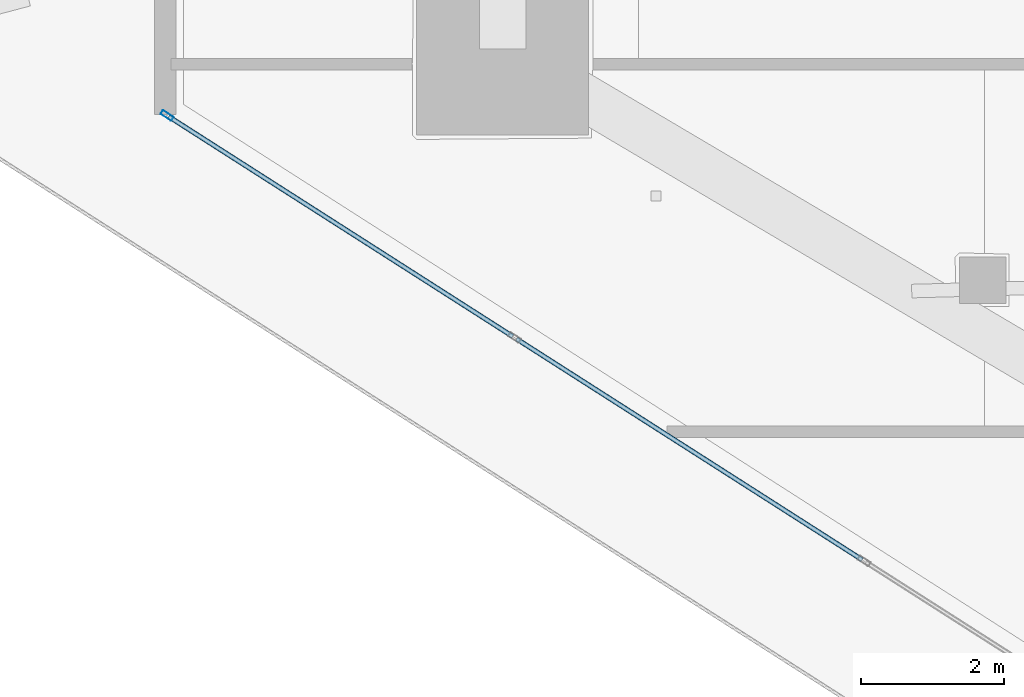
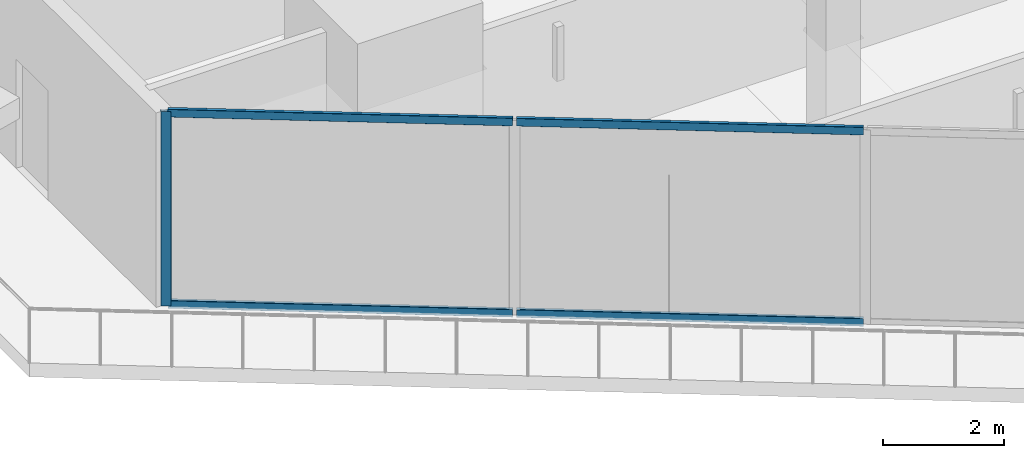
# One storey, part 4 of 44: 5 members, 1 element without a shape of its own.
"""IFC4 building model written with IfcOpenShell, lengths in metres."""

from ifc_helpers import new_model, si_unit, direction, frame, origin, origin_2d, place, context, subcontext, project, spatial, hollow_rectangle, extrude, material, layer, layer_set, material_profile, profile_set, type_object, element, aggregate, save


model = new_model("IFC4")

# Units and contexts
model_context = context("Model", 3, precision=1e-05, world=origin(), true_north=direction((0.0, 1.0)))
body_context = subcontext(model_context, "Body", "Model", "MODEL_VIEW")
ifc_project = project(units=[si_unit("LENGTHUNIT", "METRE"), si_unit("AREAUNIT", "SQUARE_METRE"), si_unit("VOLUMEUNIT", "CUBIC_METRE"), si_unit("PLANEANGLEUNIT", "RADIAN"), si_unit("MASSUNIT", "GRAM", prefix="KILO")], contexts=[model_context])

# Site, building, storey
site_placement = place(None, origin())
site = spatial("IfcSite", under=ifc_project, at=site_placement, CompositionType="ELEMENT")
building_placement = place(site_placement, origin())
building = spatial("IfcBuilding", under=site, at=building_placement, Name="Qorvath Tower", CompositionType="ELEMENT")
storey_placement = place(building_placement, frame((0.0, 0.0, 57.60009765625)))
storey = spatial("IfcBuildingStorey", under=building, at=storey_placement, Name="L12", CompositionType="ELEMENT", Elevation=57.60009765625)

# Curtain wall, members
ifc_material_1 = material(Name="Anodised aluminium and triple low-E glass", Category="aluminium")
ifc_layer = layer(ifc_material_1, 0.179931640625)
ifc_layer_set = layer_set([ifc_layer], Name="CW-SYS-2")
curtain_wall_type = type_object("IfcCurtainWallType", Name="CW-SYS-2", PredefinedType="NOTDEFINED", material=ifc_layer_set)
curtain_wall_placement = place(storey_placement, origin())
curtain_wall = element("IfcCurtainWall", 1, at=curtain_wall_placement, inside=storey, type_object=curtain_wall_type, Name="Curtain Wall CW-2 CW-T-L12-2.1", PredefinedType="NOTDEFINED")
ifc_material_2 = material(Name="Anodised aluminium 6063-T6", Category="aluminium")
ifc_material_profile_1 = material_profile(ifc_material_2, hollow_rectangle(XDim=0.06494140625, YDim=0.179931640625, WallThickness=0.00341796875, InnerFilletRadius=0.00341796875, OuterFilletRadius=0.007080078125, at=origin_2d()), Name="CWM 180x65")
ifc_profile_set_1 = profile_set([ifc_material_profile_1], Name="Anodised aluminium 6063-T6")
member_type_1 = type_object("IfcMemberType", Name="CWM-180", PredefinedType="MULLION", material=ifc_profile_set_1)
member_1_placement = place(storey_placement, frame((-59.970947265625, -4.120849609375, 0.0), z_axis=(0.0, 0.0, 1.0), x_axis=(0.53852960651, 0.842606588458, 0.0)))
member_1 = element("IfcMember", 2, at=member_1_placement, type_object=member_type_1, Name="CW-2 mullion 1", PredefinedType="MULLION", context=body_context, shape_type="SweptSolid", body=[
    extrude(hollow_rectangle(XDim=0.06494140625, YDim=0.179931640625, WallThickness=0.00341796875, InnerFilletRadius=0.00341796875, OuterFilletRadius=0.007080078125, at=origin_2d()), origin(), (0.0, 0.0, 1.0), 3.919921875),
])
ifc_material_3 = material(Name="Anodised aluminium 6063-T6", Category="aluminium")
ifc_material_profile_2 = material_profile(ifc_material_3, hollow_rectangle(XDim=0.06494140625, YDim=0.159912109375, WallThickness=0.00341796875, InnerFilletRadius=0.00341796875, OuterFilletRadius=0.007080078125, at=origin_2d()), Name="CWT 160x65")
ifc_profile_set_2 = profile_set([ifc_material_profile_2], Name="Anodised aluminium 6063-T6")
member_type_2 = type_object("IfcMemberType", Name="CWT-160", PredefinedType="USERDEFINED", material=ifc_profile_set_2)
member_2_placement = place(storey_placement, frame((-59.943603515625, -4.13818359375, 0.032470703125), z_axis=(0.842608218997, -0.538527055289, 0.0), x_axis=(0.538527055289, 0.842608218997, 0.0)))
member_2 = element("IfcMember", 3, at=member_2_placement, type_object=member_type_2, Name="CW-2 transom 1.1", ObjectType="TRANSOM", PredefinedType="USERDEFINED", context=body_context, shape_type="SweptSolid", body=[
    extrude(hollow_rectangle(XDim=0.06494140625, YDim=0.159912109375, WallThickness=0.00341796875, InnerFilletRadius=0.00341796875, OuterFilletRadius=0.007080078125, at=origin_2d()), origin(), (0.0, 0.0, 1.0), 5.697265625),
])
member_3_placement = place(storey_placement, frame((-59.943603515625, -4.13818359375, 3.887451171875), z_axis=(0.842608218997, -0.538527055289, 0.0), x_axis=(0.538527055289, 0.842608218997, 0.0)))
member_3 = element("IfcMember", 4, at=member_3_placement, type_object=member_type_2, Name="CW-2 transom 1.2", ObjectType="TRANSOM", PredefinedType="USERDEFINED", context=body_context, shape_type="SweptSolid", body=[
    extrude(hollow_rectangle(XDim=0.06494140625, YDim=0.159912109375, WallThickness=0.00341796875, InnerFilletRadius=0.00341796875, OuterFilletRadius=0.007080078125, at=origin_2d()), origin(), (0.0, 0.0, 1.0), 5.697265625),
])
member_4_placement = place(storey_placement, frame((-55.08837890625, -7.241455078125, 0.032470703125), z_axis=(0.842619459237, -0.538509467805, 0.0), x_axis=(0.538509467805, 0.842619459237, 0.0)))
member_4 = element("IfcMember", 5, at=member_4_placement, type_object=member_type_2, Name="CW-2 transom 2.1", ObjectType="TRANSOM", PredefinedType="USERDEFINED", context=body_context, shape_type="SweptSolid", body=[
    extrude(hollow_rectangle(XDim=0.06494140625, YDim=0.159912109375, WallThickness=0.00341796875, InnerFilletRadius=0.00341796875, OuterFilletRadius=0.007080078125, at=origin_2d()), origin(), (0.0, 0.0, 1.0), 5.7294921875),
])
member_5_placement = place(storey_placement, frame((-55.08837890625, -7.241455078125, 3.887451171875), z_axis=(0.842619459237, -0.538509467805, 0.0), x_axis=(0.538509467805, 0.842619459237, 0.0)))
member_5 = element("IfcMember", 6, at=member_5_placement, type_object=member_type_2, Name="CW-2 transom 2.2", ObjectType="TRANSOM", PredefinedType="USERDEFINED", context=body_context, shape_type="SweptSolid", body=[
    extrude(hollow_rectangle(XDim=0.06494140625, YDim=0.159912109375, WallThickness=0.00341796875, InnerFilletRadius=0.00341796875, OuterFilletRadius=0.007080078125, at=origin_2d()), origin(), (0.0, 0.0, 1.0), 5.7294921875),
])
aggregate(curtain_wall, [member_1, member_2, member_3, member_4, member_5])

save(model, "model.ifc")
